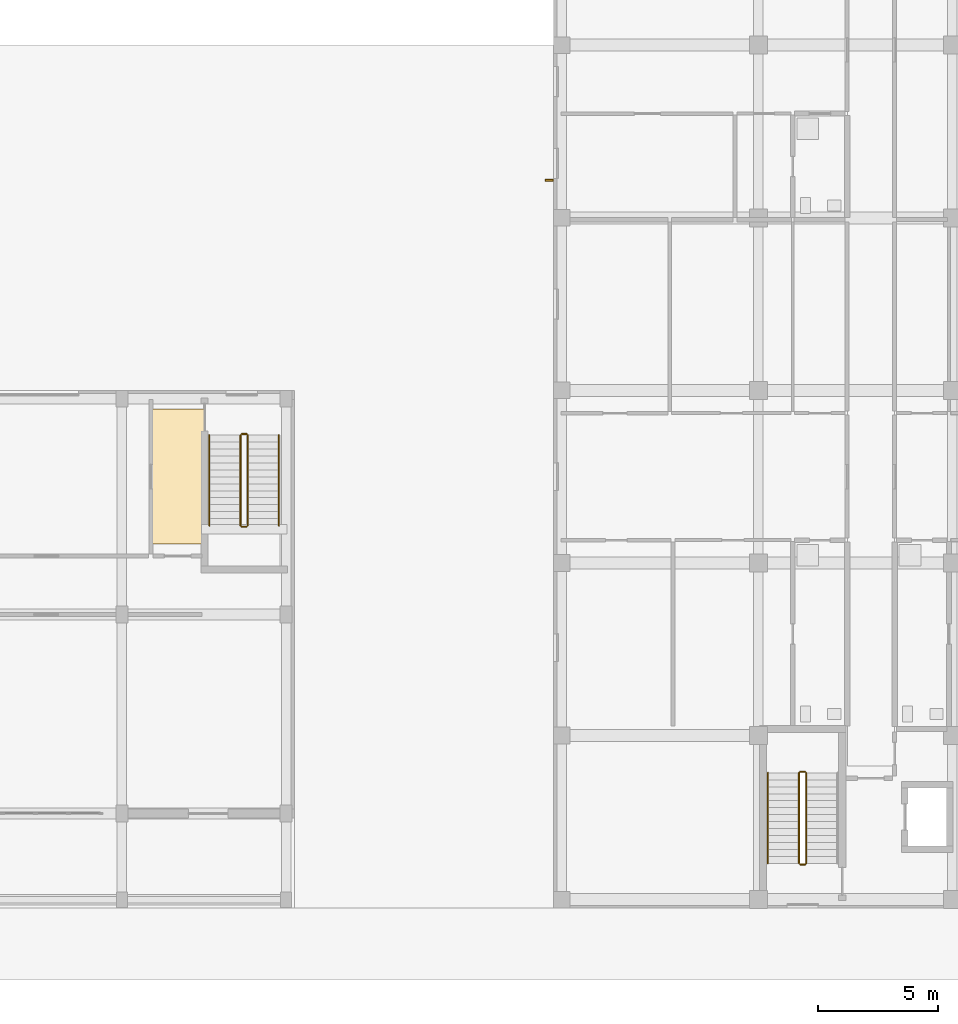
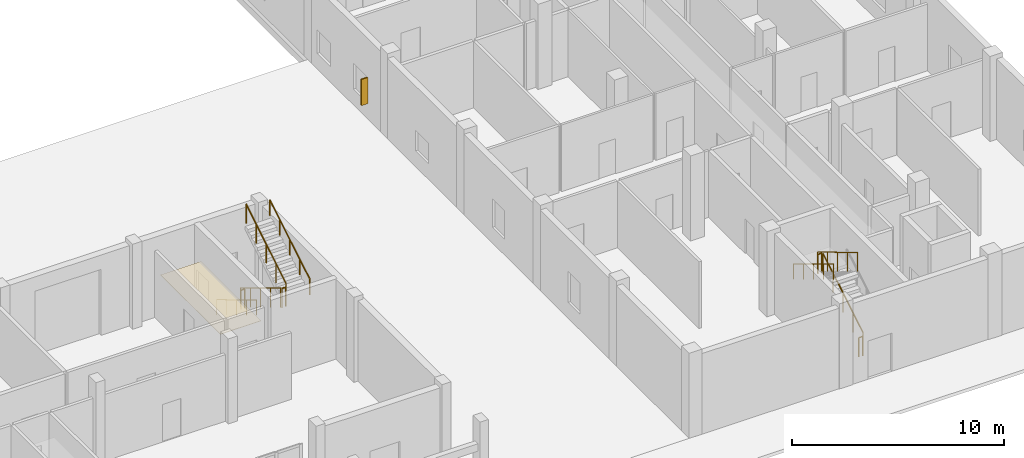
# One storey, part 75 of 85: 11 railings, 1 covering, 1 shading device.
"""IFC4 building model written with IfcOpenShell, lengths in metres."""

from ifc_helpers import new_model, si_unit, derived_unit, direction, frame, origin, origin_2d, place, context, subcontext, project, spatial, polyline, rectangle, circle, outline, extrude, material, layer, layer_set, type_object, element, save


model = new_model("IFC4")

# Units and contexts
model_context = context("Model", 3, precision=1e-05, world=origin(), true_north=direction((0.0, 1.0)))
body_context = subcontext(model_context, "Body", "Model", "MODEL_VIEW")
ifc_project = project(units=[si_unit("LENGTHUNIT", "METRE"), si_unit("AREAUNIT", "SQUARE_METRE"), si_unit("VOLUMEUNIT", "CUBIC_METRE"), si_unit("PLANEANGLEUNIT", "RADIAN"), si_unit("MASSUNIT", "GRAM", prefix="KILO"), derived_unit("THERMALTRANSMITTANCEUNIT", [(si_unit("MASSUNIT", "GRAM", prefix="KILO"), 1), (si_unit("TIMEUNIT", "SECOND"), -3), (si_unit("THERMODYNAMICTEMPERATUREUNIT", "KELVIN"), -1)])], contexts=[model_context])

# Site, building, storey
site_placement = place(None, origin())
site = spatial("IfcSite", under=ifc_project, at=site_placement, CompositionType="ELEMENT")
building_placement = place(site_placement, origin())
building = spatial("IfcBuilding", under=site, at=building_placement, Name="Ochrekiln Boulevard Commons", CompositionType="ELEMENT")
storey_placement = place(building_placement, origin())
storey = spatial("IfcBuildingStorey", under=building, at=storey_placement, Name="L00", CompositionType="ELEMENT", Elevation=0.0)

# Covering
ifc_material_1 = material(Name="Mineral-fibre acoustic ceiling tile")
ifc_layer = layer(ifc_material_1, 0.02490234375)
ifc_layer_set = layer_set([ifc_layer], Name="Mineral-fibre acoustic ceiling tile")
covering_type = type_object("IfcCoveringType", Name="COV-CEIL-AC", PredefinedType="CEILING", material=ifc_layer_set)
covering_placement = place(storey_placement, frame((0.0, 0.0, 2.64990234375)))
element("IfcCovering", 1, at=covering_placement, inside=storey, type_object=covering_type, Name="L00 Acoustic Corridor Ceiling 16", PredefinedType="CEILING", context=body_context, shape_type="SweptSolid", body=[
    extrude(outline(polyline([(130.820068359375, 15.179931640625), (133.030029296875, 15.179931640625), (133.030029296875, 20.820068359375), (130.820068359375, 20.820068359375), (130.820068359375, 15.179931640625)])), origin(), (0.0, 0.0, 1.0), 0.025146484375),
])

# Railings
ifc_material_2 = material(Name="Brushed stainless steel 316 tubular railing", Category="steel")
railing_type_1 = type_object("IfcRailingType", Name="RLG-HDR-900", PredefinedType="HANDRAIL", material=ifc_material_2)
railing_1_placement = place(storey_placement, frame((156.550048828125, 5.639892578125, 2.625)))
element("IfcRailing", 2, at=railing_1_placement, inside=storey, type_object=railing_type_1, Name="L00 ST-C1 stair handrail 2", PredefinedType="HANDRAIL", context=body_context, shape_type="SweptSolid", body=[
    extrude(circle(Radius=0.02392578125, at=origin_2d()), frame((0.0, 0.0, 0.8759765625), z_axis=(0.0, -0.856183854908, 0.516671275179), x_axis=(1.0, 0.0, 0.0)), (0.0, 0.0, 1.0), 4.403076171875),
    extrude(circle(Radius=0.02099609375, at=origin_2d()), origin(), (0.0, 0.0, 1.0), 0.851806640625),
    extrude(circle(Radius=0.02099609375, at=origin_2d()), frame((0.0, -0.9423828125, 0.56884765625)), (0.0, 0.0, 1.0), 0.851806640625),
    extrude(circle(Radius=0.02099609375, at=origin_2d()), frame((0.0, -1.884765625, 1.137451171875)), (0.0, 0.0, 1.0), 0.851806640625),
    extrude(circle(Radius=0.02099609375, at=origin_2d()), frame((0.0, -2.827392578125, 1.7060546875)), (0.0, 0.0, 1.0), 0.851806640625),
    extrude(circle(Radius=0.02099609375, at=origin_2d()), frame((0.0, -3.769775390625, 2.27490234375)), (0.0, 0.0, 1.0), 0.851806640625),
])
railing_2_placement = place(storey_placement, frame((133.25, 19.72998046875, 0.175048828125)))
element("IfcRailing", 3, at=railing_2_placement, inside=storey, type_object=railing_type_1, Name="L00 ST-E2 stair handrail 1", PredefinedType="HANDRAIL", context=body_context, shape_type="SweptSolid", body=[
    extrude(circle(Radius=0.02392578125, at=origin_2d()), frame((0.0, 0.0, 0.8759765625), z_axis=(0.0, -0.856198655849, 0.51664674752), x_axis=(1.0, 0.0, 0.0)), (0.0, 0.0, 1.0), 4.4033203125),
    extrude(circle(Radius=0.02099609375, at=origin_2d()), origin(), (0.0, 0.0, 1.0), 0.851806640625),
    extrude(circle(Radius=0.02099609375, at=origin_2d()), frame((0.0, -0.9423828125, 0.56884765625)), (0.0, 0.0, 1.0), 0.851806640625),
    extrude(circle(Radius=0.02099609375, at=origin_2d()), frame((0.0, -1.885009765625, 1.137451171875)), (0.0, 0.0, 1.0), 0.851806640625),
    extrude(circle(Radius=0.02099609375, at=origin_2d()), frame((0.0, -2.82763671875, 1.7060546875)), (0.0, 0.0, 1.0), 0.851806640625),
    extrude(circle(Radius=0.02099609375, at=origin_2d()), frame((0.0, -3.77001953125, 2.27490234375)), (0.0, 0.0, 1.0), 0.851806640625),
])
railing_3_placement = place(storey_placement, frame((136.14990234375, 15.9599609375, 2.625)))
element("IfcRailing", 4, at=railing_3_placement, inside=storey, type_object=railing_type_1, Name="L00 ST-E2 stair handrail 2", PredefinedType="HANDRAIL", context=body_context, shape_type="SweptSolid", body=[
    extrude(circle(Radius=0.02392578125, at=origin_2d()), frame((0.0, 0.0, 0.8759765625), z_axis=(0.0, 0.856198655849, 0.51664674752), x_axis=(-1.0, 0.0, 0.0)), (0.0, 0.0, 1.0), 4.4033203125),
    extrude(circle(Radius=0.02099609375, at=origin_2d()), origin(), (0.0, 0.0, 1.0), 0.851806640625),
    extrude(circle(Radius=0.02099609375, at=origin_2d()), frame((0.0, 0.9423828125, 0.56884765625)), (0.0, 0.0, 1.0), 0.851806640625),
    extrude(circle(Radius=0.02099609375, at=origin_2d()), frame((0.0, 1.885009765625, 1.137451171875)), (0.0, 0.0, 1.0), 0.851806640625),
    extrude(circle(Radius=0.02099609375, at=origin_2d()), frame((0.0, 2.82763671875, 1.7060546875)), (0.0, 0.0, 1.0), 0.851806640625),
    extrude(circle(Radius=0.02099609375, at=origin_2d()), frame((0.0, 3.77001953125, 2.27490234375)), (0.0, 0.0, 1.0), 0.851806640625),
])
railing_type_2 = type_object("IfcRailingType", Name="RLG-STR-1120", PredefinedType="BALUSTRADE", material=ifc_material_2)
railing_4_placement = place(storey_placement, frame((158.14990234375, 1.8701171875, 0.175048828125)))
element("IfcRailing", 5, at=railing_4_placement, inside=storey, type_object=railing_type_2, Name="L00 ST-C1 stair guard 1", PredefinedType="BALUSTRADE", context=body_context, shape_type="SweptSolid", body=[
    extrude(circle(Radius=0.02392578125, at=origin_2d()), frame((0.0, 0.0, 1.09619140625), z_axis=(0.0, 0.856183854908, 0.516671275179), x_axis=(-1.0, 0.0, 0.0)), (0.0, 0.0, 1.0), 4.403076171875),
    extrude(circle(Radius=0.02099609375, at=origin_2d()), origin(), (0.0, 0.0, 1.0), 1.072021484375),
    extrude(circle(Radius=0.02099609375, at=origin_2d()), frame((0.0, 0.9423828125, 0.56884765625)), (0.0, 0.0, 1.0), 1.072021484375),
    extrude(circle(Radius=0.02099609375, at=origin_2d()), frame((0.0, 1.884765625, 1.137451171875)), (0.0, 0.0, 1.0), 1.072021484375),
    extrude(circle(Radius=0.02099609375, at=origin_2d()), frame((0.0, 2.827392578125, 1.7060546875)), (0.0, 0.0, 1.0), 1.072021484375),
    extrude(circle(Radius=0.02099609375, at=origin_2d()), frame((0.0, 3.769775390625, 2.27490234375)), (0.0, 0.0, 1.0), 1.072021484375),
])
railing_5_placement = place(storey_placement, frame((158.10009765625, 5.68994140625, 2.449951171875)))
element("IfcRailing", 6, at=railing_5_placement, inside=storey, type_object=railing_type_2, Name="L00 ST-C1 stair guard 2", PredefinedType="BALUSTRADE", context=body_context, shape_type="SweptSolid", body=[
    extrude(circle(Radius=0.02392578125, at=origin_2d()), frame((0.0, 0.0, 1.09619140625), z_axis=(-1.0, 0.0, 0.0), x_axis=(0.0, -1.0, 0.0)), (0.0, 0.0, 1.0), 0.2001953125),
    extrude(circle(Radius=0.02099609375, at=origin_2d()), origin(), (0.0, 0.0, 1.0), 1.072021484375),
    extrude(circle(Radius=0.02099609375, at=origin_2d()), frame((-0.2001953125, 0.0, 0.0)), (0.0, 0.0, 1.0), 1.072021484375),
])
railing_6_placement = place(storey_placement, frame((157.85009765625, 5.639892578125, 2.625)))
element("IfcRailing", 7, at=railing_6_placement, inside=storey, type_object=railing_type_2, Name="L00 ST-C1 stair guard 3", PredefinedType="BALUSTRADE", context=body_context, shape_type="SweptSolid", body=[
    extrude(circle(Radius=0.02392578125, at=origin_2d()), frame((0.0, 0.0, 1.09619140625), z_axis=(0.0, -0.856183854908, 0.516671275179), x_axis=(1.0, 0.0, 0.0)), (0.0, 0.0, 1.0), 4.403076171875),
    extrude(circle(Radius=0.02099609375, at=origin_2d()), origin(), (0.0, 0.0, 1.0), 1.072021484375),
    extrude(circle(Radius=0.02099609375, at=origin_2d()), frame((0.0, -0.9423828125, 0.56884765625)), (0.0, 0.0, 1.0), 1.072021484375),
    extrude(circle(Radius=0.02099609375, at=origin_2d()), frame((0.0, -1.884765625, 1.137451171875)), (0.0, 0.0, 1.0), 1.072021484375),
    extrude(circle(Radius=0.02099609375, at=origin_2d()), frame((0.0, -2.827392578125, 1.7060546875)), (0.0, 0.0, 1.0), 1.072021484375),
    extrude(circle(Radius=0.02099609375, at=origin_2d()), frame((0.0, -3.769775390625, 2.27490234375)), (0.0, 0.0, 1.0), 1.072021484375),
])
railing_7_placement = place(storey_placement, frame((158.10009765625, 1.820068359375, 0.0)))
element("IfcRailing", 8, at=railing_7_placement, inside=storey, type_object=railing_type_2, Name="L00 ST-C1 stair guard 4", PredefinedType="BALUSTRADE", context=body_context, shape_type="SweptSolid", body=[
    extrude(circle(Radius=0.02392578125, at=origin_2d()), frame((0.0, 0.0, 1.09619140625), z_axis=(-1.0, 0.0, 0.0), x_axis=(0.0, -1.0, 0.0)), (0.0, 0.0, 1.0), 0.2001953125),
    extrude(circle(Radius=0.02099609375, at=origin_2d()), origin(), (0.0, 0.0, 1.0), 1.072021484375),
    extrude(circle(Radius=0.02099609375, at=origin_2d()), frame((-0.2001953125, 0.0, 0.0)), (0.0, 0.0, 1.0), 1.072021484375),
])
railing_8_placement = place(storey_placement, frame((134.550048828125, 19.72998046875, 0.175048828125)))
element("IfcRailing", 9, at=railing_8_placement, inside=storey, type_object=railing_type_2, Name="L00 ST-E2 stair guard 1", PredefinedType="BALUSTRADE", context=body_context, shape_type="SweptSolid", body=[
    extrude(circle(Radius=0.02392578125, at=origin_2d()), frame((0.0, 0.0, 1.09619140625), z_axis=(0.0, -0.856198655849, 0.51664674752), x_axis=(1.0, 0.0, 0.0)), (0.0, 0.0, 1.0), 4.4033203125),
    extrude(circle(Radius=0.02099609375, at=origin_2d()), origin(), (0.0, 0.0, 1.0), 1.072021484375),
    extrude(circle(Radius=0.02099609375, at=origin_2d()), frame((0.0, -0.9423828125, 0.56884765625)), (0.0, 0.0, 1.0), 1.072021484375),
    extrude(circle(Radius=0.02099609375, at=origin_2d()), frame((0.0, -1.885009765625, 1.137451171875)), (0.0, 0.0, 1.0), 1.072021484375),
    extrude(circle(Radius=0.02099609375, at=origin_2d()), frame((0.0, -2.82763671875, 1.7060546875)), (0.0, 0.0, 1.0), 1.072021484375),
    extrude(circle(Radius=0.02099609375, at=origin_2d()), frame((0.0, -3.77001953125, 2.27490234375)), (0.0, 0.0, 1.0), 1.072021484375),
])
railing_9_placement = place(storey_placement, frame((134.60009765625, 15.909912109375, 2.449951171875)))
element("IfcRailing", 10, at=railing_9_placement, inside=storey, type_object=railing_type_2, Name="L00 ST-E2 stair guard 2", PredefinedType="BALUSTRADE", context=body_context, shape_type="SweptSolid", body=[
    extrude(circle(Radius=0.02392578125, at=origin_2d()), frame((0.0, 0.0, 1.09619140625), z_axis=(1.0, 0.0, 0.0), x_axis=(0.0, 1.0, 0.0)), (0.0, 0.0, 1.0), 0.199951171875),
    extrude(circle(Radius=0.02099609375, at=origin_2d()), origin(), (0.0, 0.0, 1.0), 1.072021484375),
    extrude(circle(Radius=0.02099609375, at=origin_2d()), frame((0.199951171875, 0.0, 0.0)), (0.0, 0.0, 1.0), 1.072021484375),
])
railing_10_placement = place(storey_placement, frame((134.85009765625, 15.9599609375, 2.625)))
element("IfcRailing", 11, at=railing_10_placement, inside=storey, type_object=railing_type_2, Name="L00 ST-E2 stair guard 3", PredefinedType="BALUSTRADE", context=body_context, shape_type="SweptSolid", body=[
    extrude(circle(Radius=0.02392578125, at=origin_2d()), frame((0.0, 0.0, 1.09619140625), z_axis=(0.0, 0.856198655849, 0.51664674752), x_axis=(-1.0, 0.0, 0.0)), (0.0, 0.0, 1.0), 4.4033203125),
    extrude(circle(Radius=0.02099609375, at=origin_2d()), origin(), (0.0, 0.0, 1.0), 1.072021484375),
    extrude(circle(Radius=0.02099609375, at=origin_2d()), frame((0.0, 0.9423828125, 0.56884765625)), (0.0, 0.0, 1.0), 1.072021484375),
    extrude(circle(Radius=0.02099609375, at=origin_2d()), frame((0.0, 1.885009765625, 1.137451171875)), (0.0, 0.0, 1.0), 1.072021484375),
    extrude(circle(Radius=0.02099609375, at=origin_2d()), frame((0.0, 2.82763671875, 1.7060546875)), (0.0, 0.0, 1.0), 1.072021484375),
    extrude(circle(Radius=0.02099609375, at=origin_2d()), frame((0.0, 3.77001953125, 2.27490234375)), (0.0, 0.0, 1.0), 1.072021484375),
])
railing_11_placement = place(storey_placement, frame((134.60009765625, 19.780029296875, 0.0)))
element("IfcRailing", 12, at=railing_11_placement, inside=storey, type_object=railing_type_2, Name="L00 ST-E2 stair guard 4", PredefinedType="BALUSTRADE", context=body_context, shape_type="SweptSolid", body=[
    extrude(circle(Radius=0.02392578125, at=origin_2d()), frame((0.0, 0.0, 1.09619140625), z_axis=(1.0, 0.0, 0.0), x_axis=(0.0, 1.0, 0.0)), (0.0, 0.0, 1.0), 0.199951171875),
    extrude(circle(Radius=0.02099609375, at=origin_2d()), origin(), (0.0, 0.0, 1.0), 1.072021484375),
    extrude(circle(Radius=0.02099609375, at=origin_2d()), frame((0.199951171875, 0.0, 0.0)), (0.0, 0.0, 1.0), 1.072021484375),
])

# Shading device
ifc_material_3 = material(Name="Glazed architectural terracotta ASTM C1405", Category="masonry")
shading_device_type = type_object("IfcShadingDeviceType", Name="SHD-FIN-TERRA", PredefinedType="JALOUSIE", material=ifc_material_3)
shading_device_placement = place(storey_placement, frame((147.429931640625, 30.364013671875, 0.89990234375), z_axis=(0.0, 0.0, 1.0), x_axis=(1.0, 0.0, 0.0)))
element("IfcShadingDevice", 13, at=shading_device_placement, inside=storey, type_object=shading_device_type, Name="Terracotta Solar Shading Fin SF-01 (53)", PredefinedType="JALOUSIE", context=body_context, shape_type="SweptSolid", body=[
    extrude(rectangle(XDim=0.35009765625, YDim=0.080078125, at=origin_2d()), origin(), (0.0, 0.0, 1.0), 1.5),
])

save(model, "model.ifc")
